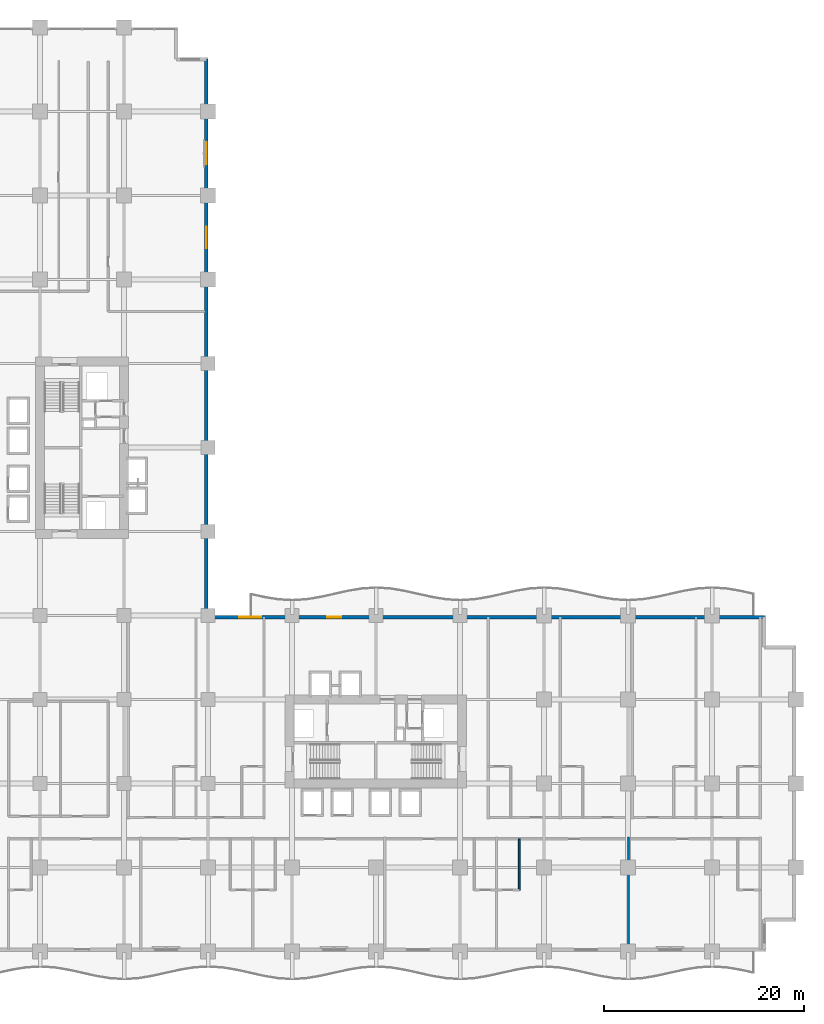
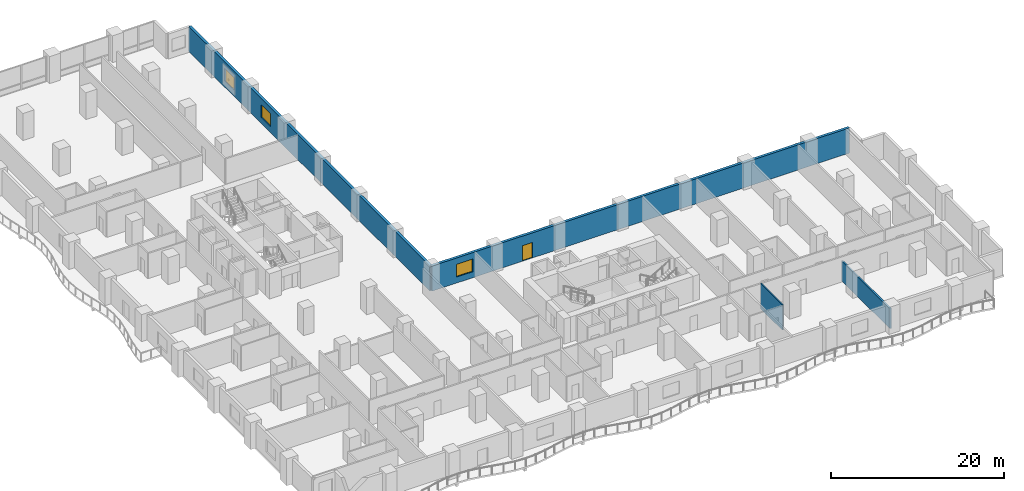
# One storey, part 14 of 24: 4 walls, 3 windows, 1 door, 4 openings.
"""IFC4 building model written with IfcOpenShell, lengths in metres."""

from ifc_helpers import new_model, si_unit, direction, frame, frame_2d, origin, place, context, subcontext, project, spatial, rectangle, extrude, material, layer, layer_set, type_object, element, fill, save


model = new_model("IFC4")

# Units and contexts
model_context = context("Model", 3, precision=1e-05, world=origin(), true_north=direction((0.0, 1.0)))
body_context = subcontext(model_context, "Body", "Model", "MODEL_VIEW")
ifc_project = project(units=[si_unit("LENGTHUNIT", "METRE"), si_unit("AREAUNIT", "SQUARE_METRE"), si_unit("VOLUMEUNIT", "CUBIC_METRE"), si_unit("PLANEANGLEUNIT", "RADIAN"), si_unit("MASSUNIT", "GRAM", prefix="KILO")], contexts=[model_context])

# Site, building, storey
site_placement = place(None, origin())
site = spatial("IfcSite", under=ifc_project, at=site_placement, CompositionType="ELEMENT")
building_placement = place(site_placement, origin())
building = spatial("IfcBuilding", under=site, at=building_placement, Name="Koriwani Terraces Tower", CompositionType="ELEMENT")
storey_placement = place(building_placement, frame((0.0, 0.0, 47.199951171875)))
storey = spatial("IfcBuildingStorey", under=building, at=storey_placement, Name="L10", CompositionType="ELEMENT", Elevation=47.199951171875)

# Wall
ifc_material_1 = material(Name="Autoclaved Cellular Concrete Blockwork", Category="masonry")
ifc_layer_1 = layer(ifc_material_1, 0.219970703125, Name="Autoclaved Cellular Concrete Blockwork")
ifc_layer_set_1 = layer_set([ifc_layer_1], Name="Autoclaved Cellular Concrete Blockwork")
wall_type_1 = type_object("IfcWallType", Name="WALL_DEMISING_220", PredefinedType="PARTITIONING", material=ifc_layer_set_1)
wall_1_placement = place(storey_placement, frame((75.64990234375, 0.199951171875, 0.0), z_axis=(0.0, 0.0, 1.0), x_axis=(0.0, 1.0, 0.0)))
element("IfcWall", 1, at=wall_1_placement, inside=storey, type_object=wall_type_1, Name="L10 Interior Wall WDEM-L10-SW-5", PredefinedType="PARTITIONING", context=body_context, shape_type="SweptSolid", body=[
    extrude(rectangle(XDim=11.22998046875, YDim=0.219970703125, at=frame_2d((5.614990234375, 0.0))), origin(), (0.0, 0.0, 1.0), 2.800048828125),
])

# Wall, openings, windows
ifc_material_2 = material(Name="Concrete C50/60", Category="concrete")
ifc_layer_2 = layer(ifc_material_2, 0.35009765625, Name="Concrete C50/60")
ifc_layer_set_2 = layer_set([ifc_layer_2], Name="Concrete C50/60")
wall_type_2 = type_object("IfcWallType", Name="WALL_EXT_BRUTALIST_350", PredefinedType="STANDARD", material=ifc_layer_set_2)
wall_2_placement = place(storey_placement, frame((33.425048828125, 89.22509765625, 0.0), z_axis=(0.0, 0.0, 1.0), x_axis=(0.0, -1.0, 0.0)))
wall_2 = element("IfcWall", 2, at=wall_2_placement, inside=storey, type_object=wall_type_2, Name="L10 Fair-Faced Brutalist Exterior Wall (NW_IN)", PredefinedType="STANDARD", context=body_context, shape_type="SweptSolid", body=[
    extrude(rectangle(XDim=55.800048828125, YDim=0.35009765625, at=frame_2d((27.89990234375, 0.0))), origin(), (0.0, 0.0, 1.0), 3.550048828125),
])
opening_1_placement = place(wall_2_placement, frame((16.72509765625, 0.0, 0.85009765625)))
opening_1 = element("IfcOpeningElement", 3, at=opening_1_placement, cuts=wall_2, Name="Opening W-01", PredefinedType="OPENING", context=body_context, shape_type="SweptSolid", body=[
    extrude(rectangle(XDim=2.199951171875, YDim=1.800048828125, at=frame_2d((1.10009765625, 0.89990234375))), frame((0.0, 0.18505859375, 0.0), z_axis=(0.0, -1.0, 0.0), x_axis=(1.0, 0.0, 0.0)), (0.0, 0.0, 1.0), 0.3701171875),
])
opening_2_placement = place(wall_2_placement, frame((8.324951171875, 0.0, 0.85009765625)))
opening_2 = element("IfcOpeningElement", 4, at=opening_2_placement, cuts=wall_2, Name="Opening W-01", PredefinedType="OPENING", context=body_context, shape_type="SweptSolid", body=[
    extrude(rectangle(XDim=2.199951171875, YDim=1.800048828125, at=frame_2d((1.10009765625, 0.89990234375))), frame((0.0, 0.18505859375, 0.0), z_axis=(0.0, -1.0, 0.0), x_axis=(1.0, 0.0, 0.0)), (0.0, 0.0, 1.0), 0.3701171875),
])
ifc_material_3 = material(Name="Tempered Laminated Low-E Glass", Category="glass")
window_type = type_object("IfcWindowType", Name="WIN_HOTEL_STD_2200X1800", PartitioningType="DOUBLE_PANEL_VERTICAL", PredefinedType="WINDOW", material=ifc_material_3)
window_1_placement = place(opening_1_placement, origin())
window_1 = element("IfcWindow", 5, at=window_1_placement, inside=storey, type_object=window_type, Name="L10 Exterior Window (NW_IN-14)", OverallHeight=1.800048828125, OverallWidth=2.199951171875, PartitioningType="SINGLE_PANEL", PredefinedType="WINDOW", context=body_context, shape_type="SweptSolid", body=[
    extrude(rectangle(XDim=2.199951171875, YDim=1.800048828125, at=frame_2d((1.10009765625, 0.89990234375))), frame((0.0, 0.030029296875, 0.0), z_axis=(0.0, -1.0, 0.0), x_axis=(1.0, 0.0, 0.0)), (0.0, 0.0, 1.0), 0.06005859375),
])
fill(opening_1, window_1)
window_2_placement = place(opening_2_placement, origin())
window_2 = element("IfcWindow", 6, at=window_2_placement, inside=storey, type_object=window_type, Name="L10 Exterior Window (NW_IN-17)", OverallHeight=1.800048828125, OverallWidth=2.199951171875, PartitioningType="SINGLE_PANEL", PredefinedType="WINDOW", context=body_context, shape_type="SweptSolid", body=[
    extrude(rectangle(XDim=2.199951171875, YDim=1.800048828125, at=frame_2d((1.10009765625, 0.89990234375))), frame((0.0, 0.030029296875, 0.0), z_axis=(0.0, -1.0, 0.0), x_axis=(1.0, 0.0, 0.0)), (0.0, 0.0, 1.0), 0.06005859375),
])
fill(opening_2, window_2)

# Wall, openings, door, window
wall_3_placement = place(storey_placement, frame((33.425048828125, 33.425048828125, 0.0), z_axis=(0.0, 0.0, 1.0), x_axis=(1.0, 0.0, 0.0)))
wall_3 = element("IfcWall", 7, at=wall_3_placement, inside=storey, type_object=wall_type_2, Name="L10 Fair-Faced Brutalist Exterior Wall (NE)", PredefinedType="STANDARD", context=body_context, shape_type="SweptSolid", body=[
    extrude(rectangle(XDim=55.800048828125, YDim=0.35009765625, at=frame_2d((27.89990234375, 0.0))), origin(), (0.0, 0.0, 1.0), 3.550048828125),
])
opening_3_placement = place(wall_3_placement, frame((12.074951171875, 0.0, 0.0)))
opening_3 = element("IfcOpeningElement", 8, at=opening_3_placement, cuts=wall_3, Name="Opening D-09", PredefinedType="OPENING", context=body_context, shape_type="SweptSolid", body=[
    extrude(rectangle(XDim=1.39990234375, YDim=2.199951171875, at=frame_2d((0.699951171875, 1.10009765625))), frame((0.0, 0.18505859375, 0.0), z_axis=(0.0, -1.0, 0.0), x_axis=(1.0, 0.0, 0.0)), (0.0, 0.0, 1.0), 0.3701171875),
])
opening_4_placement = place(wall_3_placement, frame((3.27490234375, 0.0, 0.85009765625)))
opening_4 = element("IfcOpeningElement", 9, at=opening_4_placement, cuts=wall_3, Name="Opening W-01", PredefinedType="OPENING", context=body_context, shape_type="SweptSolid", body=[
    extrude(rectangle(XDim=2.199951171875, YDim=1.800048828125, at=frame_2d((1.10009765625, 0.89990234375))), frame((0.0, 0.18505859375, 0.0), z_axis=(0.0, -1.0, 0.0), x_axis=(1.0, 0.0, 0.0)), (0.0, 0.0, 1.0), 0.3701171875),
])
ifc_material_4 = material(Name="Anodised Bronze Aluminium", Category="aluminium")
door_type = type_object("IfcDoorType", Name="DOOR_BALCONY_GLAZED_1400X2200", OperationType="NOTDEFINED", PredefinedType="DOOR", material=ifc_material_4)
door_placement = place(opening_3_placement, origin())
door = element("IfcDoor", 10, at=door_placement, inside=storey, type_object=door_type, Name="L10 Inner Court Balcony Glazed Door", OperationType="SINGLE_SWING_LEFT", OverallHeight=2.199951171875, OverallWidth=1.39990234375, PredefinedType="DOOR", context=body_context, shape_type="SweptSolid", body=[
    extrude(rectangle(XDim=1.39990234375, YDim=2.199951171875, at=frame_2d((0.699951171875, 1.10009765625))), frame((0.0, 0.02490234375, 0.0), z_axis=(0.0, -1.0, 0.0), x_axis=(1.0, 0.0, 0.0)), (0.0, 0.0, 1.0), 0.050048828125),
])
fill(opening_3, door)
window_3_placement = place(opening_4_placement, origin())
window_3 = element("IfcWindow", 11, at=window_3_placement, inside=storey, type_object=window_type, Name="L10 Exterior Window (NE-2)", OverallHeight=1.800048828125, OverallWidth=2.199951171875, PartitioningType="SINGLE_PANEL", PredefinedType="WINDOW", context=body_context, shape_type="SweptSolid", body=[
    extrude(rectangle(XDim=2.199951171875, YDim=1.800048828125, at=frame_2d((1.10009765625, 0.89990234375))), frame((0.0, 0.030029296875, 0.0), z_axis=(0.0, -1.0, 0.0), x_axis=(1.0, 0.0, 0.0)), (0.0, 0.0, 1.0), 0.06005859375),
])
fill(opening_4, window_3)

# Wall
ifc_material_5 = material(Name="Fire-Rated Acoustic Gypsum Partition", Category="masonry")
ifc_layer_3 = layer(ifc_material_5, 0.179931640625, Name="Fire-Rated Acoustic Gypsum Partition")
ifc_layer_set_3 = layer_set([ifc_layer_3], Name="Fire-Rated Acoustic Gypsum Partition")
wall_type_3 = type_object("IfcWallType", Name="WALL_PLUMBING_180", PredefinedType="PLUMBINGWALL", material=ifc_layer_set_3)
wall_4_placement = place(storey_placement, frame((64.699951171875, 6.14990234375, 0.0), z_axis=(0.0, 0.0, 1.0), x_axis=(0.0, 1.0, 0.0)))
element("IfcWall", 12, at=wall_4_placement, inside=storey, type_object=wall_type_3, Name="L10 Interior Wall WBTH2-L10-SW-4", PredefinedType="PLUMBINGWALL", context=body_context, shape_type="SweptSolid", body=[
    extrude(rectangle(XDim=5.10009765625, YDim=0.179931640625, at=frame_2d((2.550048828125, 0.0))), origin(), (0.0, 0.0, 1.0), 3.550048828125),
])

save(model, "model.ifc")
